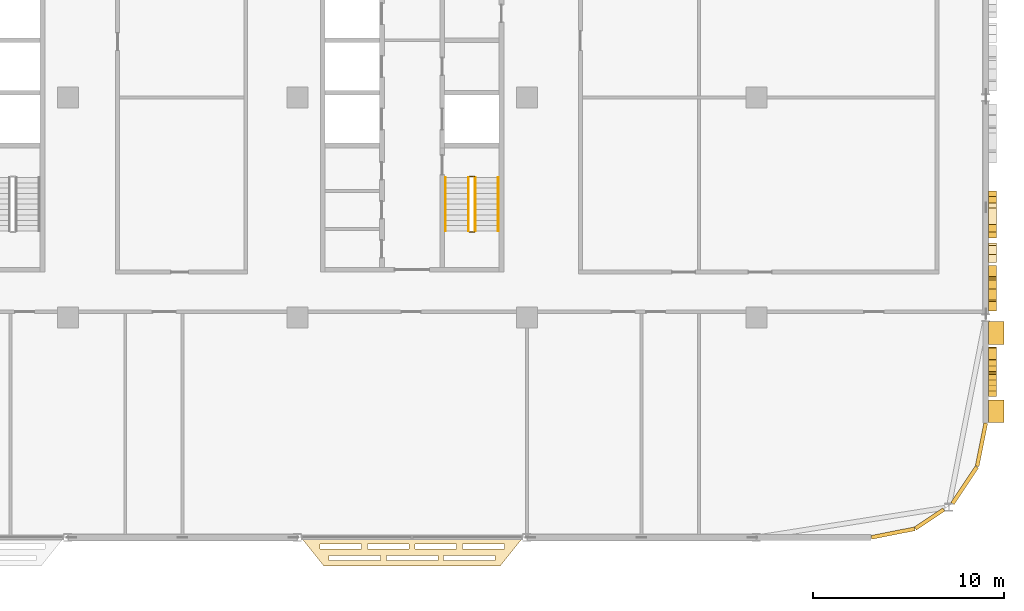
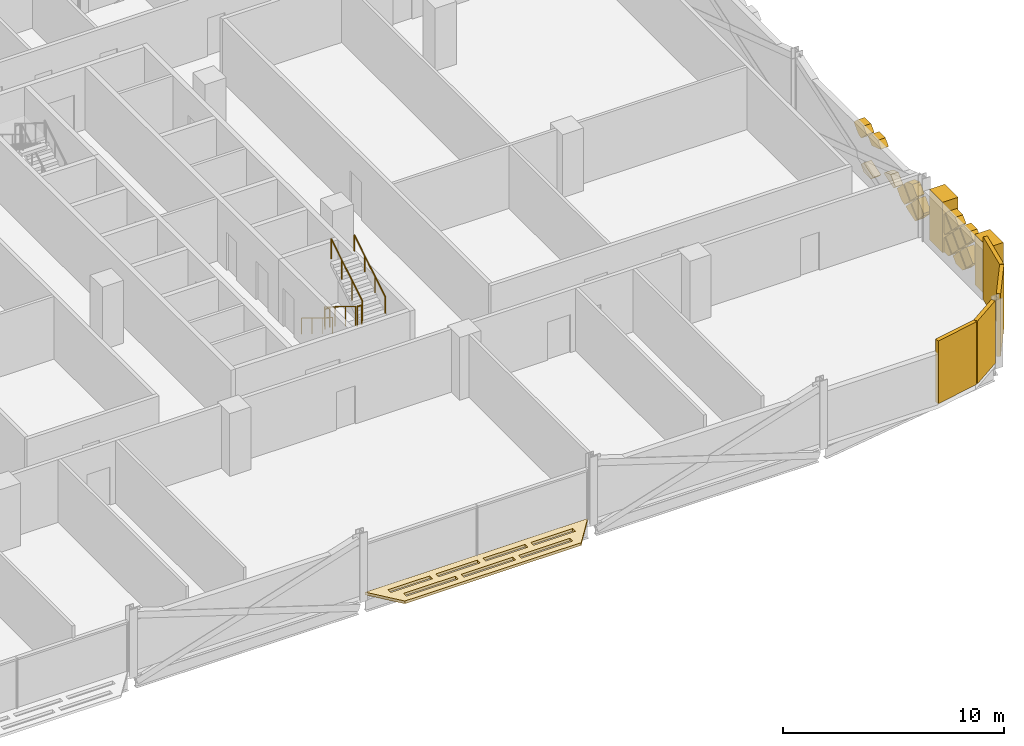
# One storey, part 29 of 30: 23 coverings, 6 railings.
"""IFC4 building model written with IfcOpenShell, lengths in metres."""

from ifc_helpers import new_model, si_unit, direction, frame, origin, origin_2d, place, context, subcontext, project, spatial, polyline, rectangle, circle, outline, extrude, material, layer, layer_set, type_object, element, save


model = new_model("IFC4")

# Units and contexts
model_context = context("Model", 3, precision=1e-05, world=origin(), true_north=direction((0.0, 1.0)))
body_context = subcontext(model_context, "Body", "Model", "MODEL_VIEW")
ifc_project = project(units=[si_unit("LENGTHUNIT", "METRE"), si_unit("AREAUNIT", "SQUARE_METRE"), si_unit("VOLUMEUNIT", "CUBIC_METRE"), si_unit("PLANEANGLEUNIT", "RADIAN"), si_unit("MASSUNIT", "GRAM", prefix="KILO")], contexts=[model_context])

# Site, building, storey
site_placement = place(None, origin())
site = spatial("IfcSite", under=ifc_project, at=site_placement, CompositionType="ELEMENT")
building_placement = place(site_placement, origin())
building = spatial("IfcBuilding", under=site, at=building_placement, Name="Mahtab Terrace Research Tower", CompositionType="ELEMENT")
storey_placement = place(building_placement, frame((0.0, 0.0, 216.699951171875)))
storey = spatial("IfcBuildingStorey", under=building, at=storey_placement, Name="L52", CompositionType="ELEMENT", Elevation=216.699951171875)

# Coverings
ifc_material_1 = material(Name="Black aluminium cladding panel", Category="aluminium")
ifc_layer_1 = layer(ifc_material_1, 0.199951171875)
ifc_layer_set_1 = layer_set([ifc_layer_1], Name="Black metal corner cladding 200")
covering_type_1 = type_object("IfcCoveringType", Name="Black metal corner cladding 200", PredefinedType="CLADDING", material=ifc_layer_set_1)
covering_1_placement = place(storey_placement, frame((49.14794921875, -22.771484375, 0.0), z_axis=(0.0, 0.0, 1.0), x_axis=(0.980760981187, 0.195212442692, 0.0)))
element("IfcCovering", 1, at=covering_1_placement, inside=storey, type_object=covering_type_1, Name="Corner cladding L52 31", PredefinedType="CLADDING", context=body_context, shape_type="SweptSolid", body=[
    extrude(rectangle(XDim=2.30126953125, YDim=0.199951171875, at=origin_2d()), origin(), (0.0, 0.0, 1.0), 3.4599609375),
])
covering_2_placement = place(storey_placement, frame((51.059814453125, -22.032958984375, 0.0), z_axis=(0.0, 0.0, 1.0), x_axis=(0.831655794326, 0.555291490808, 0.0)))
element("IfcCovering", 2, at=covering_2_placement, inside=storey, type_object=covering_type_1, Name="Corner cladding L52 32", PredefinedType="CLADDING", context=body_context, shape_type="SweptSolid", body=[
    extrude(rectangle(XDim=1.797119140625, YDim=0.199951171875, at=origin_2d()), origin(), (0.0, 0.0, 1.0), 3.4599609375),
])
for number, where, z_axis, x_axis, name in (
    (3, (52.89306640625, -20.26953125, 0.0), (0.0, 0.0, 1.0), (0.555291490808, 0.831655794326, 0.0), "Corner cladding L52 33"),
    (4, (53.771484375, -18.14794921875, 0.0), (0.0, 0.0, 1.0), (0.195212442692, 0.980760981187, 0.0), "Corner cladding L52 34"),
):
    element("IfcCovering", number, at=place(storey_placement, frame(where, z_axis=z_axis, x_axis=x_axis)), inside=storey, type_object=covering_type_1, Name=name, PredefinedType="CLADDING", context=body_context, shape_type="SweptSolid", body=[
        extrude(rectangle(XDim=2.30126953125, YDim=0.199951171875, at=origin_2d()), origin(), (0.0, 0.0, 1.0), 3.4599609375),
    ])
ifc_material_2 = material(Name="Black anodised aluminium", Category="aluminium")
ifc_layer_2 = layer(ifc_material_2, 0.14990234375)
ifc_layer_set_2 = layer_set([ifc_layer_2], Name="Horizontal sunshade band")
covering_type_2 = type_object("IfcCoveringType", Name="Horizontal sunshade band", PredefinedType="CLADDING", material=ifc_layer_set_2)
covering_3_placement = place(storey_placement, frame((0.0, 0.0, -0.14990234375)))
element("IfcCovering", 5, at=covering_3_placement, inside=storey, type_object=covering_type_2, Name="Sunshade band L52 28", PredefinedType="CLADDING", context=body_context, shape_type="SweptSolid", body=[
    extrude(outline(polyline([(18.199951171875, -23.0), (29.800048828125, -23.0), (28.60009765625, -24.5), (19.39990234375, -24.5), (18.199951171875, -23.0)]), holes=[polyline([(19.179931640625, -23.35009765625), (21.364990234375, -23.35009765625), (21.364990234375, -23.60009765625), (19.179931640625, -23.60009765625), (19.179931640625, -23.35009765625)]), polyline([(21.6650390625, -23.35009765625), (23.85009765625, -23.35009765625), (23.85009765625, -23.60009765625), (21.6650390625, -23.60009765625), (21.6650390625, -23.35009765625)]), polyline([(24.14990234375, -23.35009765625), (26.3349609375, -23.35009765625), (26.3349609375, -23.60009765625), (24.14990234375, -23.60009765625), (24.14990234375, -23.35009765625)]), polyline([(26.635009765625, -23.35009765625), (28.820068359375, -23.35009765625), (28.820068359375, -23.60009765625), (26.635009765625, -23.60009765625), (26.635009765625, -23.35009765625)]), polyline([(19.659912109375, -23.949951171875), (22.35302734375, -23.949951171875), (22.35302734375, -24.199951171875), (19.659912109375, -24.199951171875), (19.659912109375, -23.949951171875)]), polyline([(22.653076171875, -23.949951171875), (25.346923828125, -23.949951171875), (25.346923828125, -24.199951171875), (22.653076171875, -24.199951171875), (22.653076171875, -23.949951171875)]), polyline([(25.64697265625, -23.949951171875), (28.340087890625, -23.949951171875), (28.340087890625, -24.199951171875), (25.64697265625, -24.199951171875), (25.64697265625, -23.949951171875)])]), origin(), (0.0, 0.0, 1.0), 0.14990234375),
])
ifc_material_3 = material(Name="Bronze anodised aluminium", Category="aluminium")
ifc_layer_3 = layer(ifc_material_3, 0.39990234375)
ifc_layer_set_3 = layer_set([ifc_layer_3], Name="Mashrabiya relief panel 400")
covering_type_3 = type_object("IfcCoveringType", Name="Mashrabiya relief panel 400", PredefinedType="CLADDING", material=ifc_layer_set_3)
covering_4_placement = place(storey_placement, frame((54.14990234375, -15.050048828125, 1.630126953125), z_axis=(-1.0, 0.0, 0.0), x_axis=(0.0, 0.707106781187, -0.707106781187)))
element("IfcCovering", 6, at=covering_4_placement, inside=storey, type_object=covering_type_3, Name="Mashrabiya lattice cell L52 E35.1", PredefinedType="CLADDING", context=body_context, shape_type="SweptSolid", body=[
    extrude(outline(polyline([(0.0, 0.0), (0.8203543516109556, 0.0), (0.8203543516109556, 0.8203543516109556), (0.0001726334915006511, 0.820181718119455), (0.0, 0.0)])), origin(), (0.0, 0.0, -1.0), 0.39990234375),
])
covering_5_placement = place(storey_placement, frame((54.14990234375, -14.469970703125, 2.35009765625), z_axis=(-1.0, 0.0, 0.0), x_axis=(0.0, -0.707106781187, -0.707106781187)))
element("IfcCovering", 7, at=covering_5_placement, inside=storey, type_object=covering_type_3, Name="Mashrabiya lattice cell L52 E35.2", PredefinedType="CLADDING", context=body_context, shape_type="SweptSolid", body=[
    extrude(outline(polyline([(0.0, 0.0), (0.8203543516109556, 0.0), (0.820181718119455, 0.820181718119455), (0.4003370667899423, 0.820181718119455), (0.00017263349150062335, 0.4200172848210132), (0.0, 0.0)])), origin(), (0.0, 0.0, -1.0), 0.39990234375),
])
covering_6_placement = place(storey_placement, frame((54.14990234375, -14.97998046875, 0.400146484375), z_axis=(-1.0, 0.0, 0.0), x_axis=(0.0, 0.707255598772, 0.706957932274)))
element("IfcCovering", 8, at=covering_6_placement, inside=storey, type_object=covering_type_3, Name="Mashrabiya lattice cell L52 E35.3", PredefinedType="CLADDING", context=body_context, shape_type="SweptSolid", body=[
    extrude(outline(polyline([(0.0, 0.0), (0.8201817362875763, 0.0), (0.8203543334390104, 0.8200090664636573), (0.44556706802944235, 0.8202605859335999), (-9.374750541052412e-05, 0.37478733808205295), (0.0, 0.0)])), origin(), (0.0, 0.0, -1.0), 0.39990234375),
])
covering_7_placement = place(storey_placement, frame((54.14990234375, -14.39990234375, 2.280029296875), z_axis=(-1.0, 0.0, 0.0), x_axis=(0.0, 0.706957932274, -0.707255598772)))
element("IfcCovering", 9, at=covering_7_placement, inside=storey, type_object=covering_type_3, Name="Mashrabiya lattice cell L52 E35.4", PredefinedType="CLADDING", context=body_context, shape_type="SweptSolid", body=[
    extrude(outline(polyline([(0.0, 0.0), (0.8201817362875763, 0.0), (0.8203543334390104, 0.8200090664636573), (0.00017266982391900276, 0.8203543334390104), (0.0, 0.0)])), origin(), (0.0, 0.0, -1.0), 0.39990234375),
])
covering_8_placement = place(storey_placement, frame((54.14990234375, -13.75, 1.630126953125), z_axis=(-1.0, 0.0, 0.0), x_axis=(0.0, 0.707106781187, -0.707106781187)))
element("IfcCovering", 10, at=covering_8_placement, inside=storey, type_object=covering_type_3, Name="Mashrabiya lattice cell L52 E35.5", PredefinedType="CLADDING", context=body_context, shape_type="SweptSolid", body=[
    extrude(outline(polyline([(0.0, 0.0), (0.8203543516109556, 0.0), (0.8203543516109556, 0.8203543516109556), (0.0, 0.8203543516109556), (0.0, 0.0)])), origin(), (0.0, 0.0, -1.0), 0.39990234375),
])
covering_9_placement = place(storey_placement, frame((54.14990234375, -13.169921875, 2.35009765625), z_axis=(-1.0, 0.0, 0.0), x_axis=(0.0, -0.707106781187, -0.707106781187)))
element("IfcCovering", 11, at=covering_9_placement, inside=storey, type_object=covering_type_3, Name="Mashrabiya lattice cell L52 E35.6", PredefinedType="CLADDING", context=body_context, shape_type="SweptSolid", body=[
    extrude(outline(polyline([(0.0, 0.0), (0.8203543516109556, 0.0), (0.8203543516109556, 0.8203543516109556), (0.4003370667899423, 0.820181718119455), (0.00017263349150062335, 0.4200172848210132), (0.0, 0.0)])), origin(), (0.0, 0.0, -1.0), 0.39990234375),
])
covering_10_placement = place(storey_placement, frame((54.14990234375, -13.679931640625, 0.400146484375), z_axis=(-1.0, 0.0, 0.0), x_axis=(0.0, 0.707106781187, 0.707106781187)))
element("IfcCovering", 12, at=covering_10_placement, inside=storey, type_object=covering_type_3, Name="Mashrabiya lattice cell L52 E35.7", PredefinedType="CLADDING", context=body_context, shape_type="SweptSolid", body=[
    extrude(outline(polyline([(0.0, 0.0), (0.8200090846279543, 0.0), (0.820181718119455, 0.0920136509698315), (0.26861771277496777, 0.6435776563143187), (-0.00017263349150062335, 0.37478731004785026), (0.0, 0.0)])), origin(), (0.0, 0.0, -1.0), 0.39990234375),
])
covering_11_placement = place(storey_placement, frame((54.14990234375, -13.10009765625, 1.1201171875), z_axis=(-1.0, 0.0, 0.0), x_axis=(0.0, -0.707106781187, 0.707106781187)))
element("IfcCovering", 13, at=covering_11_placement, inside=storey, type_object=covering_type_3, Name="Mashrabiya lattice cell L52 E35.8", PredefinedType="CLADDING", context=body_context, shape_type="SweptSolid", body=[
    extrude(outline(polyline([(0.0, 0.0), (0.8200090846279543, 0.0), (0.820181718119455, 0.820181718119455), (0.7281680671496235, 0.8203543516109556), (-0.00017263349150062335, 0.09201365096983151), (0.0, 0.0)])), origin(), (0.0, 0.0, -1.0), 0.39990234375),
])
covering_12_placement = place(storey_placement, frame((54.14990234375, -10.64990234375, 1.630126953125), z_axis=(-1.0, 0.0, 0.0), x_axis=(0.0, 0.706957932274, -0.707255598772)))
element("IfcCovering", 14, at=covering_12_placement, inside=storey, type_object=covering_type_3, Name="Mashrabiya lattice cell L52 E36.1", PredefinedType="CLADDING", context=body_context, shape_type="SweptSolid", body=[
    extrude(outline(polyline([(0.0, 0.0), (0.8201817362875763, 0.0), (0.8205270032629295, 0.8201816636150915), (0.09201368526784859, 0.8203350025580498), (0.0001533389429583809, 0.7285133179950809), (0.0, 0.0)])), origin(), (0.0, 0.0, -1.0), 0.39990234375),
])
covering_13_placement = place(storey_placement, frame((54.14990234375, -10.580078125, 0.400146484375), z_axis=(-1.0, 0.0, 0.0), x_axis=(0.0, 0.707255598772, 0.706957932274)))
element("IfcCovering", 15, at=covering_13_placement, inside=storey, type_object=covering_type_3, Name="Mashrabiya lattice cell L52 E36.2", PredefinedType="CLADDING", context=body_context, shape_type="SweptSolid", body=[
    extrude(outline(polyline([(0.0, 0.0), (0.8201817362875763, 0.0), (0.8203159623670284, 0.6377081034772106), (4.738246009898528e-05, 0.22511406793023353), (0.0, 0.0)])), origin(), (0.0, 0.0, -1.0), 0.39990234375),
])
covering_14_placement = place(storey_placement, frame((54.14990234375, -9.419921875, 1.699951171875), z_axis=(-1.0, 0.0, 0.0), x_axis=(0.0, -0.707255598772, -0.706957932274)))
element("IfcCovering", 16, at=covering_14_placement, inside=storey, type_object=covering_type_3, Name="Mashrabiya lattice cell L52 E36.3", PredefinedType="CLADDING", context=body_context, shape_type="SweptSolid", body=[
    extrude(outline(polyline([(0.0, 0.0), (0.8201817362875763, 0.0), (0.8205270032629295, 0.8201816636150915), (0.23219207726121488, 0.8203054975292152), (7.565205669177177e-05, 0.3594229213425968), (0.0, 0.0)])), origin(), (0.0, 0.0, -1.0), 0.39990234375),
])
covering_15_placement = place(storey_placement, frame((54.14990234375, -9.929931640625, 1.050048828125), z_axis=(-1.0, 0.0, 0.0), x_axis=(0.0, 0.706957932274, 0.707255598772)))
element("IfcCovering", 17, at=covering_15_placement, inside=storey, type_object=covering_type_3, Name="Mashrabiya lattice cell L52 E36.4", PredefinedType="CLADDING", context=body_context, shape_type="SweptSolid", body=[
    extrude(outline(polyline([(0.0, 0.0), (0.8201817362875763, 0.0), (0.8200090664636573, 0.8203543334390104), (0.26274816824372343, 0.8202370400485202), (-0.0003172880686995727, 0.6872538781041407), (0.0, 0.0)])), origin(), (0.0, 0.0, -1.0), 0.39990234375),
])
covering_16_placement = place(storey_placement, frame((54.14990234375, -8.6298828125, 1.050048828125), z_axis=(-1.0, 0.0, 0.0), x_axis=(0.0, 0.707106781187, 0.707106781187)))
element("IfcCovering", 18, at=covering_16_placement, inside=storey, type_object=covering_type_3, Name="Mashrabiya lattice cell L52 E36.5", PredefinedType="CLADDING", context=body_context, shape_type="SweptSolid", body=[
    extrude(outline(polyline([(0.0, 0.0), (0.5938592107621395, 0.0), (0.820181718119455, 0.4483291774271153), (0.820181718119455, 0.643405022822818), (-0.00017263349150060947, 0.2304657111533303), (0.0, 0.0)])), origin(), (0.0, 0.0, -1.0), 0.39990234375),
])
covering_17_placement = place(storey_placement, frame((54.14990234375, -7.330078125, 2.35009765625), z_axis=(-1.0, 0.0, 0.0), x_axis=(0.0, 0.707397353075, 0.706816089844)))
element("IfcCovering", 19, at=covering_17_placement, inside=storey, type_object=covering_type_3, Name="Mashrabiya lattice cell L52 E36.6", PredefinedType="CLADDING", context=body_context, shape_type="SweptSolid", body=[
    extrude(outline(polyline([(0.0, 0.0), (0.4200173202985069, 0.0), (0.8203461934500823, 0.3999999258441378), (0.82069146040392, 0.820017104232676), (0.36666541610738723, 0.8202037158415114), (0.00021045248357635243, 0.09201357224275405), (0.0, 0.0)])), origin(), (0.0, 0.0, -1.0), 0.39990234375),
])
covering_18_placement = place(storey_placement, frame((54.14990234375, -6.64306640625, 0.363037109375), z_axis=(-1.0, 0.0, 0.0), x_axis=(0.0, 0.94953050897, 0.313674692213)))
element("IfcCovering", 20, at=covering_18_placement, inside=storey, type_object=covering_type_3, Name="Mashrabiya lattice cell L52 E36.7", PredefinedType="CLADDING", context=body_context, shape_type="SweptSolid", body=[
    extrude(outline(polyline([(0.0, 0.0), (0.918422635462074, 0.0), (1.0780075425974158, 0.31703489912506033), (0.7433172794197063, 0.48570020471355846), (0.14499251290312182, 0.28804532663697113), (0.0, 0.0)])), origin(), (0.0, 0.0, -1.0), 0.39990234375),
])
covering_19_placement = place(storey_placement, frame((54.14990234375, -6.030029296875, 2.35009765625), z_axis=(-1.0, 0.0, 0.0), x_axis=(0.0, 0.707397353075, 0.706816089844)))
element("IfcCovering", 21, at=covering_19_placement, inside=storey, type_object=covering_type_3, Name="Mashrabiya lattice cell L52 E36.8", PredefinedType="CLADDING", context=body_context, shape_type="SweptSolid", body=[
    extrude(outline(polyline([(0.0, 0.0), (0.4200173202985069, 0.0), (0.8203461934500823, 0.3999999258441378), (0.8205187559720168, 0.8198445417107415), (0.23926191014128795, 0.8202560806199604), (0.00028779341651574697, 0.7002013823827897), (0.0, 0.0)])), origin(), (0.0, 0.0, -1.0), 0.39990234375),
])
ifc_material_4 = material(Name="Glazed ceramic tile cladding", Category="masonry")
ifc_layer_4 = layer(ifc_material_4, 0.800048828125)
ifc_layer_set_4 = layer_set([ifc_layer_4], Name="Pishtaq frame pier 800")
covering_type_4 = type_object("IfcCoveringType", Name="Pishtaq frame pier 800", PredefinedType="CLADDING", material=ifc_layer_set_4)
for number, where, z_axis, x_axis, name in (
    (22, (54.550048828125, -16.39990234375, 0.0), (0.0, 0.0, 1.0), (0.0, 1.0, 0.0), "Pishtaq frame pier 35a"),
    (23, (54.550048828125, -12.300048828125, 0.0), (0.0, 0.0, 1.0), (0.0, 1.0, 0.0), "Pishtaq frame pier 35b"),
):
    element("IfcCovering", number, at=place(storey_placement, frame(where, z_axis=z_axis, x_axis=x_axis)), inside=storey, type_object=covering_type_4, Name=name, PredefinedType="CLADDING", context=body_context, shape_type="SweptSolid", body=[
        extrude(rectangle(XDim=1.199951171875, YDim=0.800048828125, at=origin_2d()), origin(), (0.0, 0.0, 1.0), 2.781982421875),
    ])

# Railings
ifc_material_5 = material(Name="Stainless steel AISI 304", Category="steel")
railing_type_1 = type_object("IfcRailingType", Name="Stair guard 1100", PredefinedType="GUARDRAIL", material=ifc_material_5)
railing_1_placement = place(storey_placement, frame((26.949951171875, -4.175048828125, 0.1728515625)))
element("IfcRailing", 24, at=railing_1_placement, inside=storey, type_object=railing_type_1, Name="L52 ST4 stair guard 1", PredefinedType="GUARDRAIL", context=body_context, shape_type="SweptSolid", body=[
    extrude(circle(Radius=0.02392578125, at=origin_2d()), frame((0.0, 0.0, 1.076171875), z_axis=(0.0, -0.851089632645, 0.525020415988), x_axis=(1.0, 0.0, 0.0)), (0.0, 0.0, 1.0), 3.2900390625),
    extrude(circle(Radius=0.02099609375, at=origin_2d()), origin(), (0.0, 0.0, 1.0), 1.052001953125),
    extrude(circle(Radius=0.02099609375, at=origin_2d()), frame((0.0, -0.933349609375, 0.57568359375)), (0.0, 0.0, 1.0), 1.052001953125),
    extrude(circle(Radius=0.02099609375, at=origin_2d()), frame((0.0, -1.86669921875, 1.151611328125)), (0.0, 0.0, 1.0), 1.052001953125),
    extrude(circle(Radius=0.02099609375, at=origin_2d()), frame((0.0, -2.800048828125, 1.727294921875)), (0.0, 0.0, 1.0), 1.052001953125),
])
railing_2_placement = place(storey_placement, frame((27.0, -7.02490234375, 1.900146484375)))
element("IfcRailing", 25, at=railing_2_placement, inside=storey, type_object=railing_type_1, Name="L52 ST4 stair guard 2", PredefinedType="GUARDRAIL", context=body_context, shape_type="SweptSolid", body=[
    extrude(circle(Radius=0.02392578125, at=origin_2d()), frame((0.0, 0.0, 1.076171875), z_axis=(1.0, 0.0, 0.0), x_axis=(0.0, 1.0, 0.0)), (0.0, 0.0, 1.0), 0.25),
    extrude(circle(Radius=0.02099609375, at=origin_2d()), origin(), (0.0, 0.0, 1.0), 1.052001953125),
    extrude(circle(Radius=0.02099609375, at=origin_2d()), frame((0.25, 0.0, 0.0)), (0.0, 0.0, 1.0), 1.052001953125),
])
railing_3_placement = place(storey_placement, frame((27.300048828125, -6.97509765625, 2.07275390625)))
element("IfcRailing", 26, at=railing_3_placement, inside=storey, type_object=railing_type_1, Name="L52 ST4 stair guard 3", PredefinedType="GUARDRAIL", context=body_context, shape_type="SweptSolid", body=[
    extrude(circle(Radius=0.02392578125, at=origin_2d()), frame((0.0, 0.0, 1.076171875), z_axis=(0.0, 0.851089632645, 0.525020415988), x_axis=(-1.0, 0.0, 0.0)), (0.0, 0.0, 1.0), 3.2900390625),
    extrude(circle(Radius=0.02099609375, at=origin_2d()), origin(), (0.0, 0.0, 1.0), 1.052001953125),
    extrude(circle(Radius=0.02099609375, at=origin_2d()), frame((0.0, 0.933349609375, 0.57568359375)), (0.0, 0.0, 1.0), 1.052001953125),
    extrude(circle(Radius=0.02099609375, at=origin_2d()), frame((0.0, 1.86669921875, 1.151611328125)), (0.0, 0.0, 1.0), 1.052001953125),
    extrude(circle(Radius=0.02099609375, at=origin_2d()), frame((0.0, 2.800048828125, 1.727294921875)), (0.0, 0.0, 1.0), 1.052001953125),
])
railing_4_placement = place(storey_placement, frame((27.0, -4.125, 0.0)))
element("IfcRailing", 27, at=railing_4_placement, inside=storey, type_object=railing_type_1, Name="L52 ST4 stair guard 4", PredefinedType="GUARDRAIL", context=body_context, shape_type="SweptSolid", body=[
    extrude(circle(Radius=0.02392578125, at=origin_2d()), frame((0.0, 0.0, 1.076171875), z_axis=(1.0, 0.0, 0.0), x_axis=(0.0, 1.0, 0.0)), (0.0, 0.0, 1.0), 0.25),
    extrude(circle(Radius=0.02099609375, at=origin_2d()), origin(), (0.0, 0.0, 1.0), 1.052001953125),
    extrude(circle(Radius=0.02099609375, at=origin_2d()), frame((0.25, 0.0, 0.0)), (0.0, 0.0, 1.0), 1.052001953125),
])
railing_type_2 = type_object("IfcRailingType", Name="Stair handrail 900", PredefinedType="HANDRAIL", material=ifc_material_5)
railing_5_placement = place(storey_placement, frame((25.75, -4.175048828125, 0.1728515625)))
element("IfcRailing", 28, at=railing_5_placement, inside=storey, type_object=railing_type_2, Name="L52 ST4 stair handrail 1", PredefinedType="HANDRAIL", context=body_context, shape_type="SweptSolid", body=[
    extrude(circle(Radius=0.02392578125, at=origin_2d()), frame((0.0, 0.0, 0.8759765625), z_axis=(0.0, -0.851089632645, 0.525020415988), x_axis=(1.0, 0.0, 0.0)), (0.0, 0.0, 1.0), 3.2900390625),
    extrude(circle(Radius=0.02099609375, at=origin_2d()), origin(), (0.0, 0.0, 1.0), 0.851806640625),
    extrude(circle(Radius=0.02099609375, at=origin_2d()), frame((0.0, -0.933349609375, 0.57568359375)), (0.0, 0.0, 1.0), 0.851806640625),
    extrude(circle(Radius=0.02099609375, at=origin_2d()), frame((0.0, -1.86669921875, 1.151611328125)), (0.0, 0.0, 1.0), 0.851806640625),
    extrude(circle(Radius=0.02099609375, at=origin_2d()), frame((0.0, -2.800048828125, 1.727294921875)), (0.0, 0.0, 1.0), 0.851806640625),
])
railing_6_placement = place(storey_placement, frame((28.5, -6.97509765625, 2.07275390625)))
element("IfcRailing", 29, at=railing_6_placement, inside=storey, type_object=railing_type_2, Name="L52 ST4 stair handrail 2", PredefinedType="HANDRAIL", context=body_context, shape_type="SweptSolid", body=[
    extrude(circle(Radius=0.02392578125, at=origin_2d()), frame((0.0, 0.0, 0.8759765625), z_axis=(0.0, 0.851089632645, 0.525020415988), x_axis=(-1.0, 0.0, 0.0)), (0.0, 0.0, 1.0), 3.2900390625),
    extrude(circle(Radius=0.02099609375, at=origin_2d()), origin(), (0.0, 0.0, 1.0), 0.851806640625),
    extrude(circle(Radius=0.02099609375, at=origin_2d()), frame((0.0, 0.933349609375, 0.57568359375)), (0.0, 0.0, 1.0), 0.851806640625),
    extrude(circle(Radius=0.02099609375, at=origin_2d()), frame((0.0, 1.86669921875, 1.151611328125)), (0.0, 0.0, 1.0), 0.851806640625),
    extrude(circle(Radius=0.02099609375, at=origin_2d()), frame((0.0, 2.800048828125, 1.727294921875)), (0.0, 0.0, 1.0), 0.851806640625),
])

save(model, "model.ifc")
